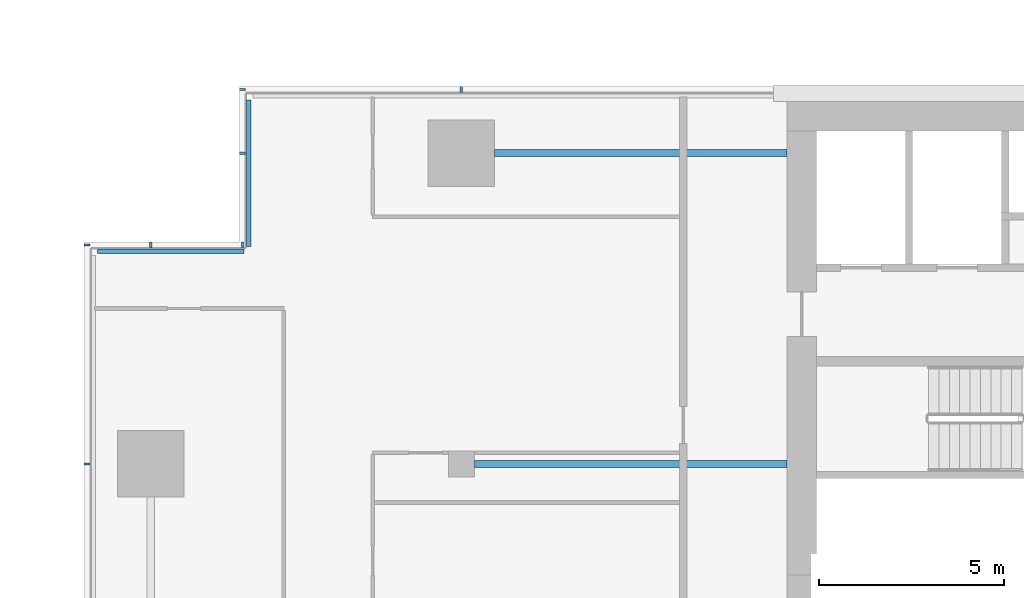
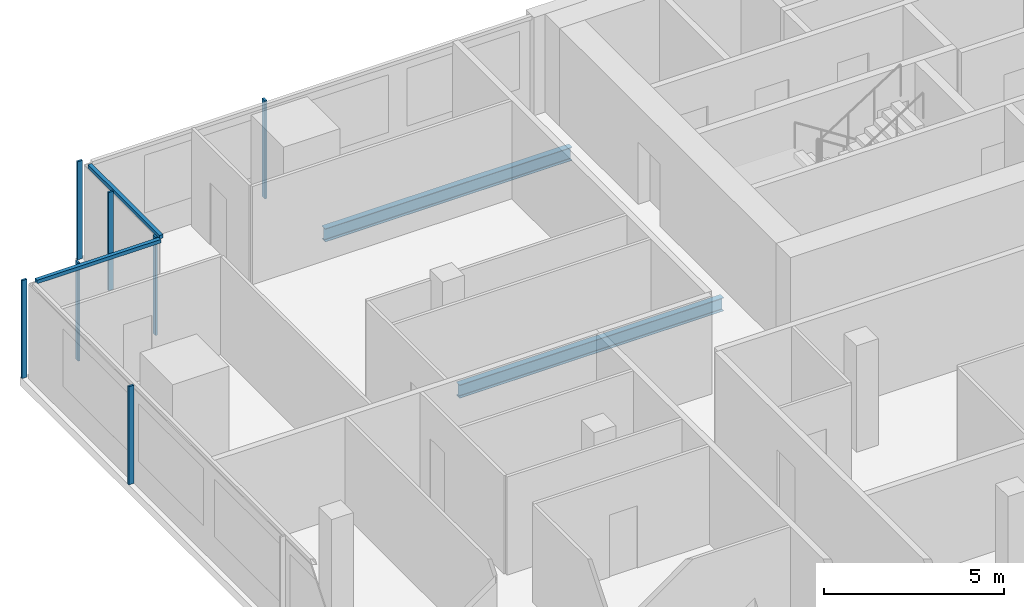
# One storey, part 8 of 27: 9 members, 2 beams, 4 elements without a shape of their own.
"""IFC4 building model written with IfcOpenShell, lengths in metres."""

from ifc_helpers import new_model, si_unit, direction, frame, origin, origin_2d, place, context, subcontext, project, spatial, rectangle, i_section, extrude, material, material_profile, profile_set, type_object, element, aggregate, save


model = new_model("IFC4")

# Units and contexts
model_context = context("Model", 3, precision=1e-05, world=origin(), true_north=direction((0.0, 1.0)))
body_context = subcontext(model_context, "Body", "Model", "MODEL_VIEW")
ifc_project = project(units=[si_unit("LENGTHUNIT", "METRE"), si_unit("AREAUNIT", "SQUARE_METRE"), si_unit("VOLUMEUNIT", "CUBIC_METRE"), si_unit("PLANEANGLEUNIT", "RADIAN"), si_unit("MASSUNIT", "GRAM", prefix="KILO")], contexts=[model_context])

# Site, building, storey
site_placement = place(None, origin())
site = spatial("IfcSite", under=ifc_project, at=site_placement, CompositionType="ELEMENT")
building_placement = place(site_placement, origin())
building = spatial("IfcBuilding", under=site, at=building_placement, Name="Saffron Gate Tower", CompositionType="ELEMENT")
storey_placement = place(building_placement, frame((0.0, 0.0, 172.64990234375)))
storey = spatial("IfcBuildingStorey", under=building, at=storey_placement, Name="L42", CompositionType="ELEMENT", Elevation=172.64990234375)

# Beams
ifc_material_1 = material(Name="Structural steel S355", Category="steel")
ifc_material_profile_1 = material_profile(ifc_material_1, i_section(OverallWidth=0.18994140625, OverallDepth=0.449951171875, WebThickness=0.009521484375, FlangeThickness=0.0146484375, FilletRadius=0.02099609375, at=origin_2d()))
ifc_profile_set_1 = profile_set([ifc_material_profile_1], Name="Structural steel S355")
beam_type = type_object("IfcBeamType", Name="B6 IPE 450", PredefinedType="BEAM", material=ifc_profile_set_1)
beam_1_placement = place(storey_placement, frame((58.550048828125, 65.39990234375, -0.5048828125), z_axis=(1.0, 0.0, 0.0), x_axis=(0.0, 1.0, 0.0)))
element("IfcBeam", 1, at=beam_1_placement, inside=storey, type_object=beam_type, Name="B6 CORE TIE BEAM", PredefinedType="BEAM", context=body_context, shape_type="SweptSolid", body=[
    extrude(i_section(OverallWidth=0.18994140625, OverallDepth=0.449951171875, WebThickness=0.009521484375, FlangeThickness=0.0146484375, FilletRadius=0.02099609375, at=origin_2d()), origin(), (0.0, 0.0, 1.0), 8.449951171875),
])
beam_2_placement = place(storey_placement, frame((59.10009765625, 73.800048828125, -0.5048828125), z_axis=(1.0, 0.0, 0.0), x_axis=(0.0, 1.0, 0.0)))
element("IfcBeam", 2, at=beam_2_placement, inside=storey, type_object=beam_type, Name="B6 CORE TIE BEAM", PredefinedType="BEAM", context=body_context, shape_type="SweptSolid", body=[
    extrude(i_section(OverallWidth=0.18994140625, OverallDepth=0.449951171875, WebThickness=0.009521484375, FlangeThickness=0.0146484375, FilletRadius=0.02099609375, at=origin_2d()), origin(), (0.0, 0.0, 1.0), 7.89990234375),
])

# Curtain wall, members
ifc_material_2 = material(Name="Aluminium, bronze anodised", Category="aluminium")
curtain_wall_type_1 = type_object("IfcCurtainWallType", Name="CWS2 curtain wall side facades", PredefinedType="NOTDEFINED", material=ifc_material_2)
curtain_wall_1_placement = place(storey_placement, origin())
curtain_wall_1 = element("IfcCurtainWall", 3, at=curtain_wall_1_placement, inside=storey, type_object=curtain_wall_type_1, Name="CWS2 run 10", PredefinedType="NOTDEFINED")
ifc_material_profile_2 = material_profile(ifc_material_2, rectangle(XDim=0.159912109375, YDim=0.06005859375, at=origin_2d()))
ifc_profile_set_2 = profile_set([ifc_material_profile_2], Name="Aluminium, bronze anodised")
member_type_1 = type_object("IfcMemberType", Name="CWS2 mullion 60x160", PredefinedType="MULLION", material=ifc_profile_set_2)
member_1_placement = place(storey_placement, frame((48.080078125, 71.320068359375, 0.0), z_axis=(0.0, 0.0, 1.0), x_axis=(1.0, 0.0, 0.0)))
member_1 = element("IfcMember", 4, at=member_1_placement, type_object=member_type_1, Name="CWS2 mullion 1", PredefinedType="MULLION", context=body_context, shape_type="SweptSolid", body=[
    extrude(rectangle(XDim=0.159912109375, YDim=0.06005859375, at=origin_2d()), origin(), (0.0, 0.0, 1.0), 3.320068359375),
])
member_2_placement = place(storey_placement, frame((48.080078125, 65.39990234375, 0.0), z_axis=(0.0, 0.0, 1.0), x_axis=(1.0, 0.0, 0.0)))
member_2 = element("IfcMember", 5, at=member_2_placement, type_object=member_type_1, Name="CWS2 mullion 2", PredefinedType="MULLION", context=body_context, shape_type="SweptSolid", body=[
    extrude(rectangle(XDim=0.159912109375, YDim=0.06005859375, at=origin_2d()), origin(), (0.0, 0.0, 1.0), 3.320068359375),
])
aggregate(curtain_wall_1, [member_1, member_2])

# Curtain wall, member
curtain_wall_type_2 = type_object("IfcCurtainWallType", Name="CWS3 curtain wall rear facade", PredefinedType="NOTDEFINED", material=ifc_material_2)
curtain_wall_2_placement = place(storey_placement, origin())
curtain_wall_2 = element("IfcCurtainWall", 6, at=curtain_wall_2_placement, inside=storey, type_object=curtain_wall_type_2, Name="CWS3 run 7", PredefinedType="NOTDEFINED")
ifc_material_profile_3 = material_profile(ifc_material_2, rectangle(XDim=0.159912109375, YDim=0.070068359375, at=origin_2d()))
ifc_profile_set_3 = profile_set([ifc_material_profile_3], Name="Aluminium, bronze anodised")
member_type_2 = type_object("IfcMemberType", Name="CWS3 mullion 70x160", PredefinedType="MULLION", material=ifc_profile_set_3)
member_3_placement = place(storey_placement, frame((58.199951171875, 75.52001953125, 0.0), z_axis=(0.0, 0.0, 1.0), x_axis=(0.0, -1.0, 0.0)))
member_3 = element("IfcMember", 7, at=member_3_placement, type_object=member_type_2, Name="CWS3 mullion 9", PredefinedType="MULLION", context=body_context, shape_type="SweptSolid", body=[
    extrude(rectangle(XDim=0.159912109375, YDim=0.070068359375, at=origin_2d()), origin(), (0.0, 0.0, 1.0), 3.320068359375),
])
aggregate(curtain_wall_2, [member_3])

curtain_wall_type_3 = type_object("IfcCurtainWallType", Name="CWS4 curtain wall corner returns", PredefinedType="NOTDEFINED", material=ifc_material_2)
curtain_wall_3_placement = place(storey_placement, origin())
curtain_wall_3 = element("IfcCurtainWall", 8, at=curtain_wall_3_placement, inside=storey, type_object=curtain_wall_type_3, Name="CWS4 run 8", PredefinedType="NOTDEFINED")
ifc_material_profile_4 = material_profile(ifc_material_2, rectangle(XDim=0.1201171875, YDim=0.1201171875, at=origin_2d()))
ifc_profile_set_4 = profile_set([ifc_material_profile_4], Name="Aluminium, bronze anodised")
member_type_3 = type_object("IfcMemberType", Name="CWS4 head transom", PredefinedType="USERDEFINED", material=ifc_profile_set_4)
member_4_placement = place(storey_placement, frame((52.447998046875, 75.23193359375, 3.260009765625), z_axis=(0.0, -1.0, 0.0), x_axis=(1.0, 0.0, 0.0)))
member_4 = element("IfcMember", 9, at=member_4_placement, type_object=member_type_3, Name="CWS4 head transom", ObjectType="TRANSOM", PredefinedType="USERDEFINED", context=body_context, shape_type="SweptSolid", body=[
    extrude(rectangle(XDim=0.1201171875, YDim=0.1201171875, at=origin_2d()), origin(), (0.0, 0.0, 1.0), 3.9599609375),
])

curtain_wall_4_placement = place(storey_placement, origin())
curtain_wall_4 = element("IfcCurtainWall", 10, at=curtain_wall_4_placement, inside=storey, type_object=curtain_wall_type_3, Name="CWS4 run 9", PredefinedType="NOTDEFINED")
member_5_placement = place(storey_placement, frame((52.327880859375, 71.152099609375, 3.260009765625), z_axis=(-1.0, 0.0, 0.0), x_axis=(0.0, -1.0, 0.0)))
member_5 = element("IfcMember", 11, at=member_5_placement, type_object=member_type_3, Name="CWS4 head transom", ObjectType="TRANSOM", PredefinedType="USERDEFINED", context=body_context, shape_type="SweptSolid", body=[
    extrude(rectangle(XDim=0.1201171875, YDim=0.1201171875, at=origin_2d()), origin(), (0.0, 0.0, 1.0), 3.9599609375),
])

# Member
ifc_material_profile_5 = material_profile(ifc_material_2, rectangle(XDim=0.159912109375, YDim=0.06005859375, at=origin_2d()))
ifc_profile_set_5 = profile_set([ifc_material_profile_5], Name="Aluminium, bronze anodised")
member_type_4 = type_object("IfcMemberType", Name="CWS4 mullion 60x160", PredefinedType="MULLION", material=ifc_profile_set_5)
member_6_placement = place(storey_placement, frame((52.280029296875, 75.52001953125, 0.0), z_axis=(0.0, 0.0, 1.0), x_axis=(1.0, 0.0, 0.0)))
member_6 = element("IfcMember", 12, at=member_6_placement, type_object=member_type_4, Name="CWS4 mullion 1", PredefinedType="MULLION", context=body_context, shape_type="SweptSolid", body=[
    extrude(rectangle(XDim=0.159912109375, YDim=0.06005859375, at=origin_2d()), origin(), (0.0, 0.0, 1.0), 3.320068359375),
])

member_7_placement = place(storey_placement, frame((52.280029296875, 73.800048828125, 0.0), z_axis=(0.0, 0.0, 1.0), x_axis=(1.0, 0.0, 0.0)))
member_7 = element("IfcMember", 13, at=member_7_placement, type_object=member_type_4, Name="CWS4 mullion 2", PredefinedType="MULLION", context=body_context, shape_type="SweptSolid", body=[
    extrude(rectangle(XDim=0.159912109375, YDim=0.06005859375, at=origin_2d()), origin(), (0.0, 0.0, 1.0), 3.320068359375),
])

aggregate(curtain_wall_3, [member_6, member_7, member_4])

member_8_placement = place(storey_placement, frame((52.280029296875, 71.320068359375, 0.0), z_axis=(0.0, 0.0, 1.0), x_axis=(0.0, -1.0, 0.0)))
member_8 = element("IfcMember", 14, at=member_8_placement, type_object=member_type_4, Name="CWS4 mullion 1", PredefinedType="MULLION", context=body_context, shape_type="SweptSolid", body=[
    extrude(rectangle(XDim=0.159912109375, YDim=0.06005859375, at=origin_2d()), origin(), (0.0, 0.0, 1.0), 3.320068359375),
])

member_9_placement = place(storey_placement, frame((49.800048828125, 71.320068359375, 0.0), z_axis=(0.0, 0.0, 1.0), x_axis=(0.0, -1.0, 0.0)))
member_9 = element("IfcMember", 15, at=member_9_placement, type_object=member_type_4, Name="CWS4 mullion 2", PredefinedType="MULLION", context=body_context, shape_type="SweptSolid", body=[
    extrude(rectangle(XDim=0.159912109375, YDim=0.06005859375, at=origin_2d()), origin(), (0.0, 0.0, 1.0), 3.320068359375),
])

aggregate(curtain_wall_4, [member_8, member_9, member_5])

save(model, "model.ifc")
